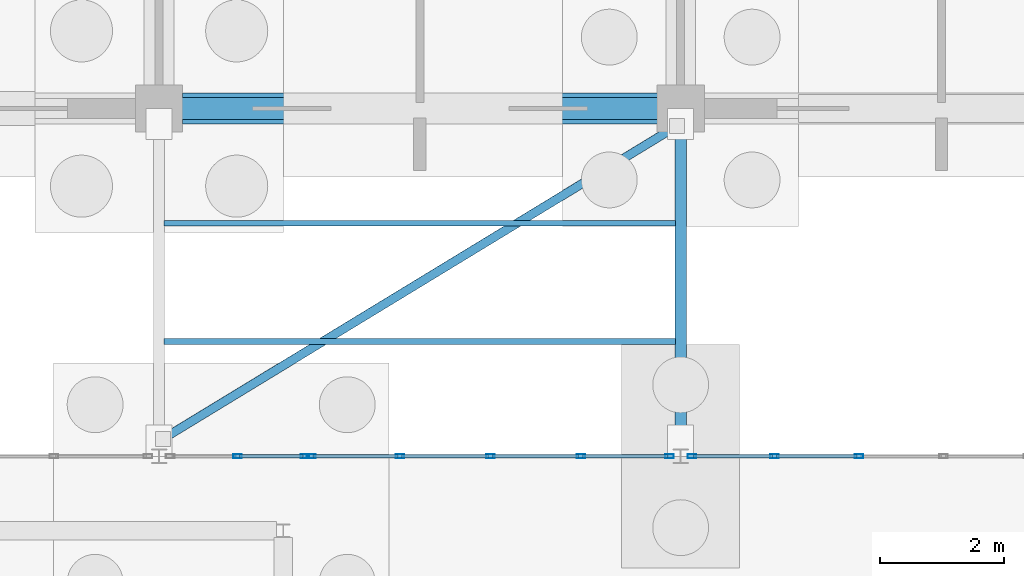
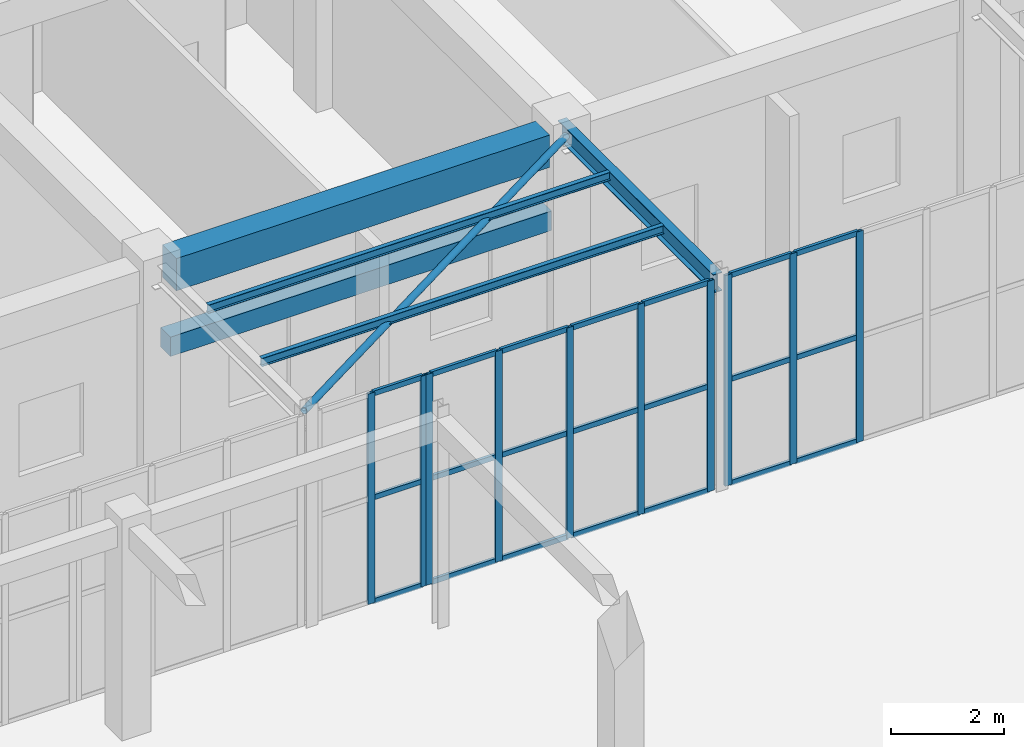
# One storey, part 101 of 192: 32 members, 5 beams, 3 elements without a shape of their own.
"""IFC4 building model written with IfcOpenShell, lengths in metres."""

from ifc_helpers import new_model, si_unit, direction, frame, origin, origin_2d, place, context, subcontext, project, spatial, rectangle, hollow_rectangle, hollow_circle, i_section, extrude, material, layer, layer_set, material_profile, profile_set, type_object, element, aggregate, save


model = new_model("IFC4")

# Units and contexts
model_context = context("Model", 3, precision=1e-05, world=origin(), true_north=direction((0.0, 1.0)))
body_context = subcontext(model_context, "Body", "Model", "MODEL_VIEW")
ifc_project = project(units=[si_unit("LENGTHUNIT", "METRE"), si_unit("AREAUNIT", "SQUARE_METRE"), si_unit("VOLUMEUNIT", "CUBIC_METRE"), si_unit("PLANEANGLEUNIT", "RADIAN"), si_unit("MASSUNIT", "GRAM", prefix="KILO")], contexts=[model_context])

# Site, building, storey
site_placement = place(None, origin())
site = spatial("IfcSite", under=ifc_project, at=site_placement, CompositionType="ELEMENT")
building_placement = place(site_placement, origin())
building = spatial("IfcBuilding", under=site, at=building_placement, Name="Trelvath General Hospital", CompositionType="ELEMENT")
storey_placement = place(building_placement, origin())
storey = spatial("IfcBuildingStorey", under=building, at=storey_placement, Name="L00", CompositionType="ELEMENT", Elevation=0.0)

# Beam
ifc_material_1 = material(Name="Concrete C35/45", Category="concrete")
ifc_material_profile_1 = material_profile(ifc_material_1, rectangle(XDim=0.5, YDim=0.699951171875, at=origin_2d()), Name="RCB500x700")
ifc_profile_set_1 = profile_set([ifc_material_profile_1], Name="Concrete C35/45")
beam_type_1 = type_object("IfcBeamType", Name="Beam RC500x700", PredefinedType="BEAM", material=ifc_profile_set_1)
beam_1_placement = place(storey_placement, frame((59.175048828125, 92.39990234375, 4.169921875), z_axis=(1.0, 0.0, 0.0), x_axis=(0.0, 1.0, 0.0)))
element("IfcBeam", 1, at=beam_1_placement, inside=storey, type_object=beam_type_1, Name="Grid Beam BX-007L", PredefinedType="BEAM", context=body_context, shape_type="SweptSolid", body=[
    extrude(rectangle(XDim=0.5, YDim=0.699951171875, at=origin_2d()), origin(), (0.0, 0.0, 1.0), 7.64990234375),
])

# Member
ifc_material_2 = material(Name="Steel S355", Category="steel")
ifc_material_profile_2 = material_profile(ifc_material_2, hollow_circle(Radius=0.06982421875, WallThickness=0.00634765625, at=origin_2d()), Name="CHS139.7x6.3")
ifc_profile_set_2 = profile_set([ifc_material_profile_2], Name="Steel S355")
member_type_1 = type_object("IfcMemberType", Name="BridgeBrace CHS139", PredefinedType="BRACE", material=ifc_profile_set_2)
member_1_placement = place(storey_placement, frame((58.860107421875, 87.080078125, 4.409912109375), z_axis=(0.854190773615, 0.519959731394, 0.0), x_axis=(-0.519959731394, 0.854190773615, 0.0)))
element("IfcMember", 2, at=member_1_placement, inside=storey, type_object=member_type_1, Name="Bridge Lateral Brace BRG-N-W L01", PredefinedType="BRACE", context=body_context, shape_type="SweptSolid", body=[
    extrude(hollow_circle(Radius=0.06982421875, WallThickness=0.00634765625, at=origin_2d()), origin(), (0.0, 0.0, 1.0), 9.693115234375),
])

# Beams
ifc_material_3 = material(Name="Steel S355", Category="steel")
ifc_material_profile_3 = material_profile(ifc_material_3, i_section(OverallWidth=0.179931640625, OverallDepth=0.39990234375, WebThickness=0.008544921875, FlangeThickness=0.013427734375, at=origin_2d()), Name="IPE400")
ifc_profile_set_3 = profile_set([ifc_material_profile_3], Name="Steel S355")
beam_type_2 = type_object("IfcBeamType", Name="BridgeGirder IPE400", PredefinedType="BEAM", material=ifc_profile_set_3)
beam_2_placement = place(storey_placement, frame((67.199951171875, 86.840087890625, 4.409912109375), z_axis=(0.0, 1.0, 0.0), x_axis=(-1.0, 0.0, 0.0)))
element("IfcBeam", 3, at=beam_2_placement, inside=storey, type_object=beam_type_2, Name="Bridge Girder BRG-N-W E L01", PredefinedType="BEAM", context=body_context, shape_type="SweptSolid", body=[
    extrude(i_section(OverallWidth=0.179931640625, OverallDepth=0.39990234375, WebThickness=0.008544921875, FlangeThickness=0.013427734375, at=origin_2d()), origin(), (0.0, 0.0, 1.0), 5.52001953125),
])
ifc_material_4 = material(Name="Steel S355", Category="steel")
ifc_material_profile_4 = material_profile(ifc_material_4, i_section(OverallWidth=0.091064453125, OverallDepth=0.179931640625, WebThickness=0.00537109375, FlangeThickness=0.008056640625, at=origin_2d()), Name="IPE180")
ifc_profile_set_4 = profile_set([ifc_material_profile_4], Name="Steel S355")
beam_type_3 = type_object("IfcBeamType", Name="BridgeJoist IPE180", PredefinedType="JOIST", material=ifc_profile_set_4)
for number, where, z_axis, x_axis, name in (
    (4, (58.8798828125, 88.64794921875, 4.52001953125), (1.0, 0.0, 0.0), (0.0, 1.0, 0.0), "Bridge Cross Joist BRG-N-W L01"),
    (5, (58.8798828125, 90.552001953125, 4.52001953125), (1.0, 0.0, 0.0), (0.0, 1.0, 0.0), "Bridge Cross Joist BRG-N-W L01"),
):
    element("IfcBeam", number, at=place(storey_placement, frame(where, z_axis=z_axis, x_axis=x_axis)), inside=storey, type_object=beam_type_3, Name=name, PredefinedType="JOIST", context=body_context, shape_type="SweptSolid", body=[
        extrude(i_section(OverallWidth=0.091064453125, OverallDepth=0.179931640625, WebThickness=0.00537109375, FlangeThickness=0.008056640625, at=origin_2d()), origin(), (0.0, 0.0, 1.0), 8.240234375),
    ])

# Curtain wall, members
ifc_material_5 = material(Name="Anodised aluminium and low-E glass", Category="aluminium")
ifc_layer_1 = layer(ifc_material_5, 0.139892578125)
ifc_layer_set_1 = layer_set([ifc_layer_1], Name="Anodised aluminium and low-E glass")
curtain_wall_type_1 = type_object("IfcCurtainWallType", Name="CW CrystalCube 223 456 14", PredefinedType="USERDEFINED", material=ifc_layer_set_1)
curtain_wall_1_placement = place(storey_placement, origin())
curtain_wall_1 = element("IfcCurtainWall", 6, at=curtain_wall_1_placement, inside=storey, type_object=curtain_wall_type_1, Name="Crystal Cube Curtain Wall CUBE-W-T0 N3 L00", ObjectType="Unitised Glazed Curtain Wall", PredefinedType="USERDEFINED")
ifc_material_6 = material(Name="Anodised aluminium", Category="aluminium")
ifc_material_profile_5 = material_profile(ifc_material_6, hollow_rectangle(XDim=0.06005859375, YDim=0.139892578125, WallThickness=0.00390625, at=origin_2d()), Name="RHS60x140x4")
ifc_profile_set_5 = profile_set([ifc_material_profile_5], Name="Anodised aluminium")
member_type_2 = type_object("IfcMemberType", Name="CurtainMullion 60x140", PredefinedType="MULLION", material=ifc_profile_set_5)
member_2_placement = place(storey_placement, frame((60.06494140625, 86.800048828125, 0.0), z_axis=(0.0, 0.0, 1.0), x_axis=(0.0, 1.0, 0.0)))
member_2 = element("IfcMember", 7, at=member_2_placement, type_object=member_type_2, Name="CW-091 mullion 2", PredefinedType="MULLION", context=body_context, shape_type="SweptSolid", body=[
    extrude(hollow_rectangle(XDim=0.06005859375, YDim=0.139892578125, WallThickness=0.00390625, at=origin_2d()), origin(), (0.0, 0.0, 1.0), 4.56005859375),
])
member_3_placement = place(storey_placement, frame((61.14990234375, 86.800048828125, 0.0), z_axis=(0.0, 0.0, 1.0), x_axis=(0.0, 1.0, 0.0)))
member_3 = element("IfcMember", 8, at=member_3_placement, type_object=member_type_2, Name="CW-091 mullion 3", PredefinedType="MULLION", context=body_context, shape_type="SweptSolid", body=[
    extrude(hollow_rectangle(XDim=0.06005859375, YDim=0.139892578125, WallThickness=0.00390625, at=origin_2d()), origin(), (0.0, 0.0, 1.0), 4.56005859375),
])

ifc_material_7 = material(Name="Anodised aluminium and low-E glass", Category="aluminium")
ifc_layer_2 = layer(ifc_material_7, 0.139892578125)
ifc_layer_set_2 = layer_set([ifc_layer_2], Name="Anodised aluminium and low-E glass")
curtain_wall_type_2 = type_object("IfcCurtainWallType", Name="CW CrystalCube 583 456 14", PredefinedType="USERDEFINED", material=ifc_layer_set_2)
curtain_wall_2_placement = place(storey_placement, origin())
curtain_wall_2 = element("IfcCurtainWall", 9, at=curtain_wall_2_placement, inside=storey, type_object=curtain_wall_type_2, Name="Crystal Cube Curtain Wall CUBE-W-T0 N4 L00", ObjectType="Unitised Glazed Curtain Wall", PredefinedType="USERDEFINED")
member_4_placement = place(storey_placement, frame((61.25, 86.800048828125, 0.0), z_axis=(0.0, 0.0, 1.0), x_axis=(0.0, 1.0, 0.0)))
member_4 = element("IfcMember", 10, at=member_4_placement, type_object=member_type_2, Name="CW-092 mullion 1", PredefinedType="MULLION", context=body_context, shape_type="SweptSolid", body=[
    extrude(hollow_rectangle(XDim=0.06005859375, YDim=0.139892578125, WallThickness=0.00390625, at=origin_2d()), origin(), (0.0, 0.0, 1.0), 4.56005859375),
])
member_5_placement = place(storey_placement, frame((62.677490234375, 86.800048828125, 0.0), z_axis=(0.0, 0.0, 1.0), x_axis=(0.0, 1.0, 0.0)))
member_5 = element("IfcMember", 11, at=member_5_placement, type_object=member_type_2, Name="CW-092 mullion 2", PredefinedType="MULLION", context=body_context, shape_type="SweptSolid", body=[
    extrude(hollow_rectangle(XDim=0.06005859375, YDim=0.139892578125, WallThickness=0.00390625, at=origin_2d()), origin(), (0.0, 0.0, 1.0), 4.56005859375),
])
member_6_placement = place(storey_placement, frame((64.135009765625, 86.800048828125, 0.0), z_axis=(0.0, 0.0, 1.0), x_axis=(0.0, 1.0, 0.0)))
member_6 = element("IfcMember", 12, at=member_6_placement, type_object=member_type_2, Name="CW-092 mullion 3", PredefinedType="MULLION", context=body_context, shape_type="SweptSolid", body=[
    extrude(hollow_rectangle(XDim=0.06005859375, YDim=0.139892578125, WallThickness=0.00390625, at=origin_2d()), origin(), (0.0, 0.0, 1.0), 4.56005859375),
])
member_7_placement = place(storey_placement, frame((65.592529296875, 86.800048828125, 0.0), z_axis=(0.0, 0.0, 1.0), x_axis=(0.0, 1.0, 0.0)))
member_7 = element("IfcMember", 13, at=member_7_placement, type_object=member_type_2, Name="CW-092 mullion 4", PredefinedType="MULLION", context=body_context, shape_type="SweptSolid", body=[
    extrude(hollow_rectangle(XDim=0.06005859375, YDim=0.139892578125, WallThickness=0.00390625, at=origin_2d()), origin(), (0.0, 0.0, 1.0), 4.56005859375),
])
member_8_placement = place(storey_placement, frame((67.02001953125, 86.800048828125, 0.0), z_axis=(0.0, 0.0, 1.0), x_axis=(0.0, 1.0, 0.0)))
member_8 = element("IfcMember", 14, at=member_8_placement, type_object=member_type_2, Name="CW-092 mullion 5", PredefinedType="MULLION", context=body_context, shape_type="SweptSolid", body=[
    extrude(hollow_rectangle(XDim=0.06005859375, YDim=0.139892578125, WallThickness=0.00390625, at=origin_2d()), origin(), (0.0, 0.0, 1.0), 4.56005859375),
])

ifc_material_8 = material(Name="Anodised aluminium and low-E glass", Category="aluminium")
ifc_layer_3 = layer(ifc_material_8, 0.139892578125)
ifc_layer_set_3 = layer_set([ifc_layer_3], Name="Anodised aluminium and low-E glass")
curtain_wall_type_3 = type_object("IfcCurtainWallType", Name="CW CrystalCube 817 456 14", PredefinedType="USERDEFINED", material=ifc_layer_set_3)
curtain_wall_3_placement = place(storey_placement, origin())
curtain_wall_3 = element("IfcCurtainWall", 15, at=curtain_wall_3_placement, inside=storey, type_object=curtain_wall_type_3, Name="Crystal Cube Curtain Wall CUBE-W-T0 N5 L00", ObjectType="Unitised Glazed Curtain Wall", PredefinedType="USERDEFINED")
member_9_placement = place(storey_placement, frame((67.3798828125, 86.800048828125, 0.0), z_axis=(0.0, 0.0, 1.0), x_axis=(0.0, 1.0, 0.0)))
member_9 = element("IfcMember", 16, at=member_9_placement, type_object=member_type_2, Name="CW-093 mullion 1", PredefinedType="MULLION", context=body_context, shape_type="SweptSolid", body=[
    extrude(hollow_rectangle(XDim=0.06005859375, YDim=0.139892578125, WallThickness=0.00390625, at=origin_2d()), origin(), (0.0, 0.0, 1.0), 4.56005859375),
])
member_10_placement = place(storey_placement, frame((68.711669921875, 86.800048828125, 0.0), z_axis=(0.0, 0.0, 1.0), x_axis=(0.0, 1.0, 0.0)))
member_10 = element("IfcMember", 17, at=member_10_placement, type_object=member_type_2, Name="CW-093 mullion 2", PredefinedType="MULLION", context=body_context, shape_type="SweptSolid", body=[
    extrude(hollow_rectangle(XDim=0.06005859375, YDim=0.139892578125, WallThickness=0.00390625, at=origin_2d()), origin(), (0.0, 0.0, 1.0), 4.56005859375),
])
member_11_placement = place(storey_placement, frame((70.0732421875, 86.800048828125, 0.0), z_axis=(0.0, 0.0, 1.0), x_axis=(0.0, 1.0, 0.0)))
member_11 = element("IfcMember", 18, at=member_11_placement, type_object=member_type_2, Name="CW-093 mullion 3", PredefinedType="MULLION", context=body_context, shape_type="SweptSolid", body=[
    extrude(hollow_rectangle(XDim=0.06005859375, YDim=0.139892578125, WallThickness=0.00390625, at=origin_2d()), origin(), (0.0, 0.0, 1.0), 4.56005859375),
])

# Member
ifc_material_9 = material(Name="Anodised aluminium", Category="aluminium")
ifc_material_profile_6 = material_profile(ifc_material_9, hollow_rectangle(XDim=0.06005859375, YDim=0.110107421875, WallThickness=0.00390625, at=origin_2d()), Name="RHS60x110x4")
ifc_profile_set_6 = profile_set([ifc_material_profile_6], Name="Anodised aluminium")
member_type_3 = type_object("IfcMemberType", Name="CurtainTransom 60x110", PredefinedType="USERDEFINED", material=ifc_profile_set_6)
member_12_placement = place(storey_placement, frame((60.094970703125, 86.800048828125, 0.030029296875), z_axis=(1.0, 0.0, 0.0), x_axis=(0.0, 1.0, 0.0)))
member_12 = element("IfcMember", 19, at=member_12_placement, type_object=member_type_3, Name="CW-091 transom 2.1", ObjectType="TRANSOM", PredefinedType="USERDEFINED", context=body_context, shape_type="SweptSolid", body=[
    extrude(hollow_rectangle(XDim=0.06005859375, YDim=0.110107421875, WallThickness=0.00390625, at=origin_2d()), origin(), (0.0, 0.0, 1.0), 1.025146484375),
])

member_13_placement = place(storey_placement, frame((60.094970703125, 86.800048828125, 2.280029296875), z_axis=(1.0, 0.0, 0.0), x_axis=(0.0, 1.0, 0.0)))
member_13 = element("IfcMember", 20, at=member_13_placement, type_object=member_type_3, Name="CW-091 transom 2.2", ObjectType="TRANSOM", PredefinedType="USERDEFINED", context=body_context, shape_type="SweptSolid", body=[
    extrude(hollow_rectangle(XDim=0.06005859375, YDim=0.110107421875, WallThickness=0.00390625, at=origin_2d()), origin(), (0.0, 0.0, 1.0), 1.025146484375),
])

member_14_placement = place(storey_placement, frame((60.094970703125, 86.800048828125, 4.530029296875), z_axis=(1.0, 0.0, 0.0), x_axis=(0.0, 1.0, 0.0)))
member_14 = element("IfcMember", 21, at=member_14_placement, type_object=member_type_3, Name="CW-091 transom 2.3", ObjectType="TRANSOM", PredefinedType="USERDEFINED", context=body_context, shape_type="SweptSolid", body=[
    extrude(hollow_rectangle(XDim=0.06005859375, YDim=0.110107421875, WallThickness=0.00390625, at=origin_2d()), origin(), (0.0, 0.0, 1.0), 1.025146484375),
])

aggregate(curtain_wall_1, [member_2, member_3, member_12, member_13, member_14])

member_15_placement = place(storey_placement, frame((61.280029296875, 86.800048828125, 0.030029296875), z_axis=(1.0, 0.0, 0.0), x_axis=(0.0, 1.0, 0.0)))
member_15 = element("IfcMember", 22, at=member_15_placement, type_object=member_type_3, Name="CW-092 transom 1.1", ObjectType="TRANSOM", PredefinedType="USERDEFINED", context=body_context, shape_type="SweptSolid", body=[
    extrude(hollow_rectangle(XDim=0.06005859375, YDim=0.110107421875, WallThickness=0.00390625, at=origin_2d()), origin(), (0.0, 0.0, 1.0), 1.367431640625),
])

member_16_placement = place(storey_placement, frame((61.280029296875, 86.800048828125, 2.280029296875), z_axis=(1.0, 0.0, 0.0), x_axis=(0.0, 1.0, 0.0)))
member_16 = element("IfcMember", 23, at=member_16_placement, type_object=member_type_3, Name="CW-092 transom 1.2", ObjectType="TRANSOM", PredefinedType="USERDEFINED", context=body_context, shape_type="SweptSolid", body=[
    extrude(hollow_rectangle(XDim=0.06005859375, YDim=0.110107421875, WallThickness=0.00390625, at=origin_2d()), origin(), (0.0, 0.0, 1.0), 1.367431640625),
])

member_17_placement = place(storey_placement, frame((61.280029296875, 86.800048828125, 4.530029296875), z_axis=(1.0, 0.0, 0.0), x_axis=(0.0, 1.0, 0.0)))
member_17 = element("IfcMember", 24, at=member_17_placement, type_object=member_type_3, Name="CW-092 transom 1.3", ObjectType="TRANSOM", PredefinedType="USERDEFINED", context=body_context, shape_type="SweptSolid", body=[
    extrude(hollow_rectangle(XDim=0.06005859375, YDim=0.110107421875, WallThickness=0.00390625, at=origin_2d()), origin(), (0.0, 0.0, 1.0), 1.367431640625),
])

member_18_placement = place(storey_placement, frame((62.70751953125, 86.800048828125, 0.030029296875), z_axis=(1.0, 0.0, 0.0), x_axis=(0.0, 1.0, 0.0)))
member_18 = element("IfcMember", 25, at=member_18_placement, type_object=member_type_3, Name="CW-092 transom 2.1", ObjectType="TRANSOM", PredefinedType="USERDEFINED", context=body_context, shape_type="SweptSolid", body=[
    extrude(hollow_rectangle(XDim=0.06005859375, YDim=0.110107421875, WallThickness=0.00390625, at=origin_2d()), origin(), (0.0, 0.0, 1.0), 1.3974609375),
])

member_19_placement = place(storey_placement, frame((62.70751953125, 86.800048828125, 2.280029296875), z_axis=(1.0, 0.0, 0.0), x_axis=(0.0, 1.0, 0.0)))
member_19 = element("IfcMember", 26, at=member_19_placement, type_object=member_type_3, Name="CW-092 transom 2.2", ObjectType="TRANSOM", PredefinedType="USERDEFINED", context=body_context, shape_type="SweptSolid", body=[
    extrude(hollow_rectangle(XDim=0.06005859375, YDim=0.110107421875, WallThickness=0.00390625, at=origin_2d()), origin(), (0.0, 0.0, 1.0), 1.3974609375),
])

member_20_placement = place(storey_placement, frame((62.70751953125, 86.800048828125, 4.530029296875), z_axis=(1.0, 0.0, 0.0), x_axis=(0.0, 1.0, 0.0)))
member_20 = element("IfcMember", 27, at=member_20_placement, type_object=member_type_3, Name="CW-092 transom 2.3", ObjectType="TRANSOM", PredefinedType="USERDEFINED", context=body_context, shape_type="SweptSolid", body=[
    extrude(hollow_rectangle(XDim=0.06005859375, YDim=0.110107421875, WallThickness=0.00390625, at=origin_2d()), origin(), (0.0, 0.0, 1.0), 1.3974609375),
])

member_21_placement = place(storey_placement, frame((64.1650390625, 86.800048828125, 0.030029296875), z_axis=(1.0, 0.0, 0.0), x_axis=(0.0, 1.0, 0.0)))
member_21 = element("IfcMember", 28, at=member_21_placement, type_object=member_type_3, Name="CW-092 transom 3.1", ObjectType="TRANSOM", PredefinedType="USERDEFINED", context=body_context, shape_type="SweptSolid", body=[
    extrude(hollow_rectangle(XDim=0.06005859375, YDim=0.110107421875, WallThickness=0.00390625, at=origin_2d()), origin(), (0.0, 0.0, 1.0), 1.3974609375),
])

member_22_placement = place(storey_placement, frame((64.1650390625, 86.800048828125, 2.280029296875), z_axis=(1.0, 0.0, 0.0), x_axis=(0.0, 1.0, 0.0)))
member_22 = element("IfcMember", 29, at=member_22_placement, type_object=member_type_3, Name="CW-092 transom 3.2", ObjectType="TRANSOM", PredefinedType="USERDEFINED", context=body_context, shape_type="SweptSolid", body=[
    extrude(hollow_rectangle(XDim=0.06005859375, YDim=0.110107421875, WallThickness=0.00390625, at=origin_2d()), origin(), (0.0, 0.0, 1.0), 1.3974609375),
])

member_23_placement = place(storey_placement, frame((64.1650390625, 86.800048828125, 4.530029296875), z_axis=(1.0, 0.0, 0.0), x_axis=(0.0, 1.0, 0.0)))
member_23 = element("IfcMember", 30, at=member_23_placement, type_object=member_type_3, Name="CW-092 transom 3.3", ObjectType="TRANSOM", PredefinedType="USERDEFINED", context=body_context, shape_type="SweptSolid", body=[
    extrude(hollow_rectangle(XDim=0.06005859375, YDim=0.110107421875, WallThickness=0.00390625, at=origin_2d()), origin(), (0.0, 0.0, 1.0), 1.3974609375),
])

member_24_placement = place(storey_placement, frame((65.62255859375, 86.800048828125, 0.030029296875), z_axis=(1.0, 0.0, 0.0), x_axis=(0.0, 1.0, 0.0)))
member_24 = element("IfcMember", 31, at=member_24_placement, type_object=member_type_3, Name="CW-092 transom 4.1", ObjectType="TRANSOM", PredefinedType="USERDEFINED", context=body_context, shape_type="SweptSolid", body=[
    extrude(hollow_rectangle(XDim=0.06005859375, YDim=0.110107421875, WallThickness=0.00390625, at=origin_2d()), origin(), (0.0, 0.0, 1.0), 1.367431640625),
])

member_25_placement = place(storey_placement, frame((65.62255859375, 86.800048828125, 2.280029296875), z_axis=(1.0, 0.0, 0.0), x_axis=(0.0, 1.0, 0.0)))
member_25 = element("IfcMember", 32, at=member_25_placement, type_object=member_type_3, Name="CW-092 transom 4.2", ObjectType="TRANSOM", PredefinedType="USERDEFINED", context=body_context, shape_type="SweptSolid", body=[
    extrude(hollow_rectangle(XDim=0.06005859375, YDim=0.110107421875, WallThickness=0.00390625, at=origin_2d()), origin(), (0.0, 0.0, 1.0), 1.367431640625),
])

member_26_placement = place(storey_placement, frame((65.62255859375, 86.800048828125, 4.530029296875), z_axis=(1.0, 0.0, 0.0), x_axis=(0.0, 1.0, 0.0)))
member_26 = element("IfcMember", 33, at=member_26_placement, type_object=member_type_3, Name="CW-092 transom 4.3", ObjectType="TRANSOM", PredefinedType="USERDEFINED", context=body_context, shape_type="SweptSolid", body=[
    extrude(hollow_rectangle(XDim=0.06005859375, YDim=0.110107421875, WallThickness=0.00390625, at=origin_2d()), origin(), (0.0, 0.0, 1.0), 1.367431640625),
])

aggregate(curtain_wall_2, [member_4, member_5, member_6, member_7, member_8, member_15, member_16, member_17, member_18, member_19, member_20, member_21, member_22, member_23, member_24, member_25, member_26])

member_27_placement = place(storey_placement, frame((67.409912109375, 86.800048828125, 0.030029296875), z_axis=(1.0, 0.0, 0.0), x_axis=(0.0, 1.0, 0.0)))
member_27 = element("IfcMember", 34, at=member_27_placement, type_object=member_type_3, Name="CW-093 transom 1.1", ObjectType="TRANSOM", PredefinedType="USERDEFINED", context=body_context, shape_type="SweptSolid", body=[
    extrude(hollow_rectangle(XDim=0.06005859375, YDim=0.110107421875, WallThickness=0.00390625, at=origin_2d()), origin(), (0.0, 0.0, 1.0), 1.271728515625),
])

member_28_placement = place(storey_placement, frame((67.409912109375, 86.800048828125, 2.280029296875), z_axis=(1.0, 0.0, 0.0), x_axis=(0.0, 1.0, 0.0)))
member_28 = element("IfcMember", 35, at=member_28_placement, type_object=member_type_3, Name="CW-093 transom 1.2", ObjectType="TRANSOM", PredefinedType="USERDEFINED", context=body_context, shape_type="SweptSolid", body=[
    extrude(hollow_rectangle(XDim=0.06005859375, YDim=0.110107421875, WallThickness=0.00390625, at=origin_2d()), origin(), (0.0, 0.0, 1.0), 1.271728515625),
])

member_29_placement = place(storey_placement, frame((67.409912109375, 86.800048828125, 4.530029296875), z_axis=(1.0, 0.0, 0.0), x_axis=(0.0, 1.0, 0.0)))
member_29 = element("IfcMember", 36, at=member_29_placement, type_object=member_type_3, Name="CW-093 transom 1.3", ObjectType="TRANSOM", PredefinedType="USERDEFINED", context=body_context, shape_type="SweptSolid", body=[
    extrude(hollow_rectangle(XDim=0.06005859375, YDim=0.110107421875, WallThickness=0.00390625, at=origin_2d()), origin(), (0.0, 0.0, 1.0), 1.271728515625),
])

member_30_placement = place(storey_placement, frame((68.74169921875, 86.800048828125, 0.030029296875), z_axis=(1.0, 0.0, 0.0), x_axis=(0.0, 1.0, 0.0)))
member_30 = element("IfcMember", 37, at=member_30_placement, type_object=member_type_3, Name="CW-093 transom 2.1", ObjectType="TRANSOM", PredefinedType="USERDEFINED", context=body_context, shape_type="SweptSolid", body=[
    extrude(hollow_rectangle(XDim=0.06005859375, YDim=0.110107421875, WallThickness=0.00390625, at=origin_2d()), origin(), (0.0, 0.0, 1.0), 1.301513671875),
])

member_31_placement = place(storey_placement, frame((68.74169921875, 86.800048828125, 2.280029296875), z_axis=(1.0, 0.0, 0.0), x_axis=(0.0, 1.0, 0.0)))
member_31 = element("IfcMember", 38, at=member_31_placement, type_object=member_type_3, Name="CW-093 transom 2.2", ObjectType="TRANSOM", PredefinedType="USERDEFINED", context=body_context, shape_type="SweptSolid", body=[
    extrude(hollow_rectangle(XDim=0.06005859375, YDim=0.110107421875, WallThickness=0.00390625, at=origin_2d()), origin(), (0.0, 0.0, 1.0), 1.301513671875),
])

member_32_placement = place(storey_placement, frame((68.74169921875, 86.800048828125, 4.530029296875), z_axis=(1.0, 0.0, 0.0), x_axis=(0.0, 1.0, 0.0)))
member_32 = element("IfcMember", 39, at=member_32_placement, type_object=member_type_3, Name="CW-093 transom 2.3", ObjectType="TRANSOM", PredefinedType="USERDEFINED", context=body_context, shape_type="SweptSolid", body=[
    extrude(hollow_rectangle(XDim=0.06005859375, YDim=0.110107421875, WallThickness=0.00390625, at=origin_2d()), origin(), (0.0, 0.0, 1.0), 1.301513671875),
])

aggregate(curtain_wall_3, [member_9, member_10, member_11, member_27, member_28, member_29, member_30, member_31, member_32])

# Beam
ifc_material_10 = material(Name="Precast concrete C40/50", Category="concrete")
ifc_material_profile_7 = material_profile(ifc_material_10, rectangle(XDim=0.35009765625, YDim=0.419921875, at=origin_2d()), Name="PCL350x420")
ifc_profile_set_7 = profile_set([ifc_material_profile_7], Name="Precast concrete C40/50")
beam_type_4 = type_object("IfcBeamType", Name="Lintel PC350x420", PredefinedType="LINTEL", material=ifc_profile_set_7)
beam_3_placement = place(storey_placement, frame((66.905029296875, 92.39990234375, 2.590087890625), z_axis=(-1.0, 0.0, 0.0), x_axis=(0.0, -1.0, 0.0)))
element("IfcBeam", 40, at=beam_3_placement, inside=storey, type_object=beam_type_4, Name="Precast Window Brow Lintel L00-43", PredefinedType="LINTEL", context=body_context, shape_type="SweptSolid", body=[
    extrude(rectangle(XDim=0.35009765625, YDim=0.419921875, at=origin_2d()), origin(), (0.0, 0.0, 1.0), 7.81005859375),
])

save(model, "model.ifc")
